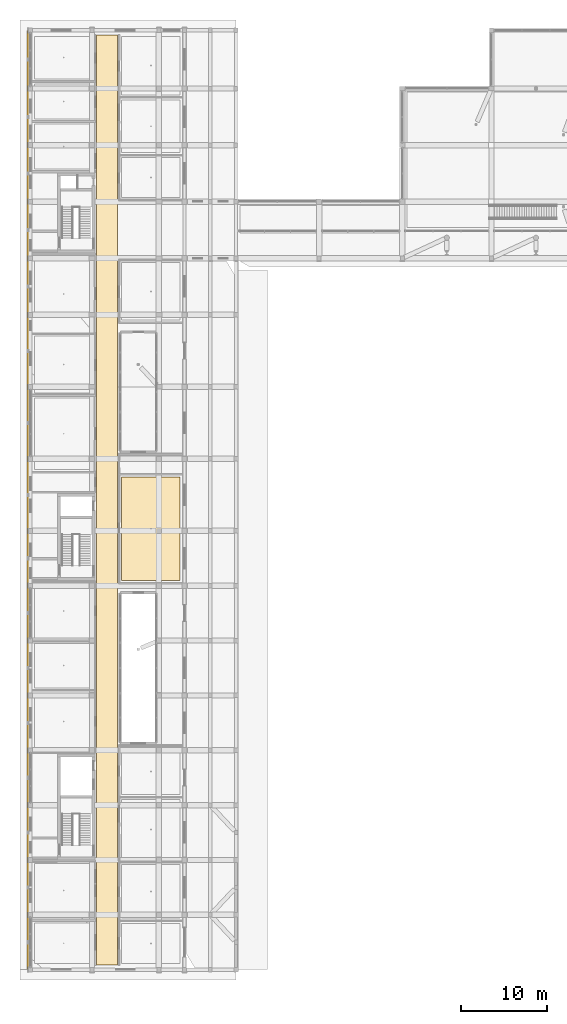
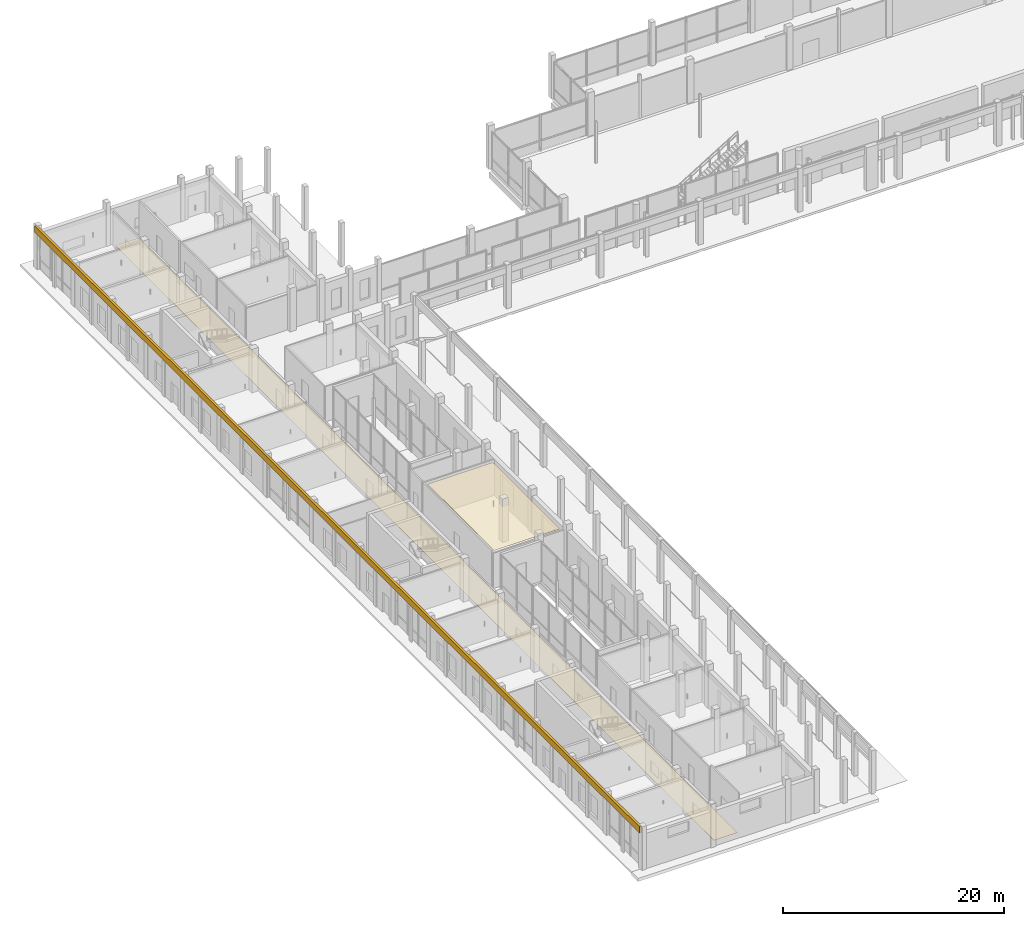
# One storey, part 74 of 88: 3 coverings.
"""IFC4 building model written with IfcOpenShell, lengths in metres."""

from ifc_helpers import new_model, si_unit, derived_unit, direction, frame, origin, origin_2d, place, context, subcontext, project, spatial, polyline, rectangle, outline, extrude, material, layer, layer_set, type_object, element, save


model = new_model("IFC4")

# Units and contexts
model_context = context("Model", 3, precision=1e-05, world=origin(), true_north=direction((0.0, 1.0)))
body_context = subcontext(model_context, "Body", "Model", "MODEL_VIEW")
ifc_project = project(units=[si_unit("LENGTHUNIT", "METRE"), si_unit("AREAUNIT", "SQUARE_METRE"), si_unit("VOLUMEUNIT", "CUBIC_METRE"), si_unit("PLANEANGLEUNIT", "RADIAN"), si_unit("MASSUNIT", "GRAM", prefix="KILO"), derived_unit("THERMALTRANSMITTANCEUNIT", [(si_unit("POWERUNIT", "WATT"), 1), (si_unit("LENGTHUNIT", "METRE"), -2), (si_unit("THERMODYNAMICTEMPERATUREUNIT", "KELVIN"), -1)])], contexts=[model_context])

# Site, building, storey
site_placement = place(None, origin())
site = spatial("IfcSite", under=ifc_project, at=site_placement, CompositionType="ELEMENT")
building_placement = place(site_placement, origin())
building = spatial("IfcBuilding", under=site, at=building_placement, Name="Braskholm Square Health Centre", CompositionType="ELEMENT")
storey_placement = place(building_placement, origin())
storey = spatial("IfcBuildingStorey", under=building, at=storey_placement, Name="L01", CompositionType="ELEMENT", Elevation=0.0)

# Coverings
ifc_material_1 = material(Name="Fire-rated gypsum board barrier")
ifc_layer_1 = layer(ifc_material_1, 0.02490234375)
ifc_layer_set_1 = layer_set([ifc_layer_1], Name="Fire-rated gypsum board barrier")
covering_type_1 = type_object("IfcCoveringType", Name="AcousticClinicalCeilingTile", PredefinedType="CEILING", material=ifc_layer_set_1)
covering_1_placement = place(storey_placement, frame((0.0, 0.0, 3.864990234375)))
element("IfcCovering", 1, at=covering_1_placement, inside=storey, type_object=covering_type_1, Name="Acoustic ceiling L01-039", PredefinedType="CEILING", context=body_context, shape_type="SweptSolid", body=[
    extrude(outline(polyline([(14.85009765625, 49.580078125), (21.695068359375, 49.580078125), (21.695068359375, 61.699951171875), (14.85009765625, 61.699951171875), (14.85009765625, 49.580078125)])), origin(), (0.0, 0.0, 1.0), 0.02490234375),
])
ifc_material_2 = material(Name="Mankato-Kasota dolomitic limestone ashlar", Category="masonry")
ifc_layer_2 = layer(ifc_material_2, 0.090087890625)
ifc_layer_set_2 = layer_set([ifc_layer_2], Name="Mankato-Kasota dolomitic limestone ashlar")
covering_type_2 = type_object("IfcCoveringType", Name="KasotaAshlarBaseCladding", PredefinedType="CLADDING", material=ifc_layer_set_2)
covering_2_placement = place(storey_placement, frame((3.949951171875, 59.0, 4.0), z_axis=(0.0, 0.0, 1.0), x_axis=(1.0, 0.0, 0.0)))
element("IfcCovering", 2, at=covering_2_placement, inside=storey, type_object=covering_type_2, Name="Classical Art Deco architectural trim 0898", PredefinedType="CLADDING", context=body_context, shape_type="SweptSolid", body=[
    extrude(rectangle(XDim=0.239990234375, YDim=109.60009765625, at=origin_2d()), origin(), (0.0, 0.0, 1.0), 0.699951171875),
])
ifc_material_3 = material(Name="Polished geometric terrazzo flooring", Category="masonry")
ifc_layer_3 = layer(ifc_material_3, 0.02001953125)
ifc_layer_set_3 = layer_set([ifc_layer_3], Name="Polished geometric terrazzo flooring")
covering_type_3 = type_object("IfcCoveringType", Name="PolishedTerrazzoFloorFinish", PredefinedType="FLOORING", material=ifc_layer_set_3)
covering_3_placement = place(storey_placement, origin())
element("IfcCovering", 3, at=covering_3_placement, inside=storey, type_object=covering_type_3, Name="Polished terrazzo floor L01-021", PredefinedType="FLOORING", context=body_context, shape_type="SweptSolid", body=[
    extrude(outline(polyline([(11.949951171875, 4.75), (14.39990234375, 4.75), (14.39990234375, 113.25), (11.949951171875, 113.25), (11.949951171875, 4.75)])), origin(), (0.0, 0.0, 1.0), 0.02001953125),
])

save(model, "model.ifc")
